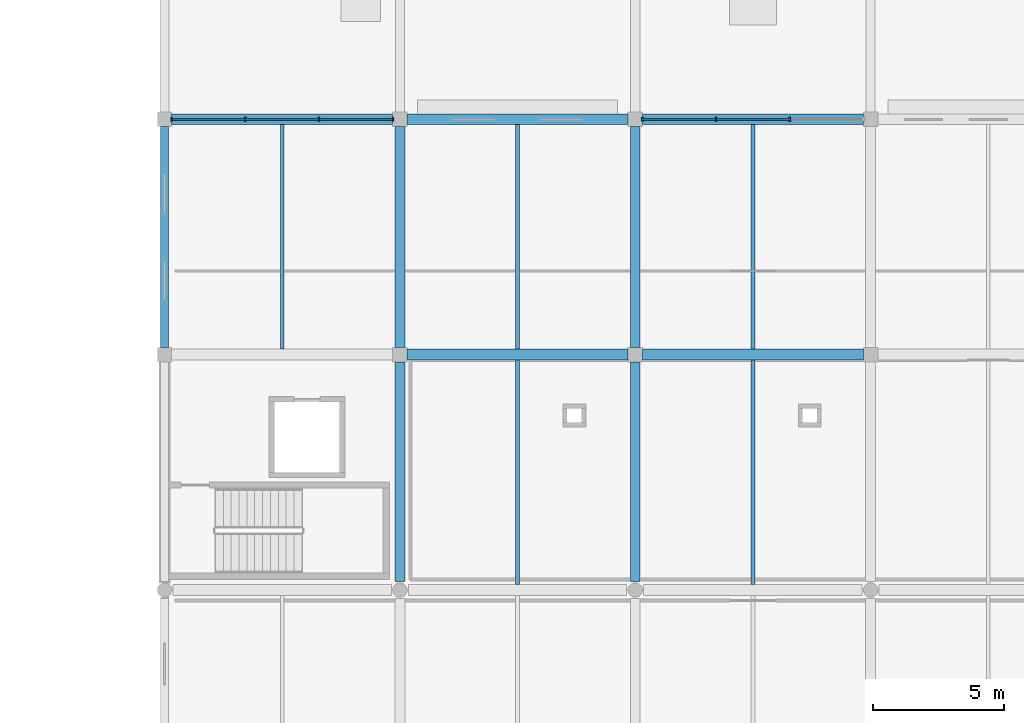
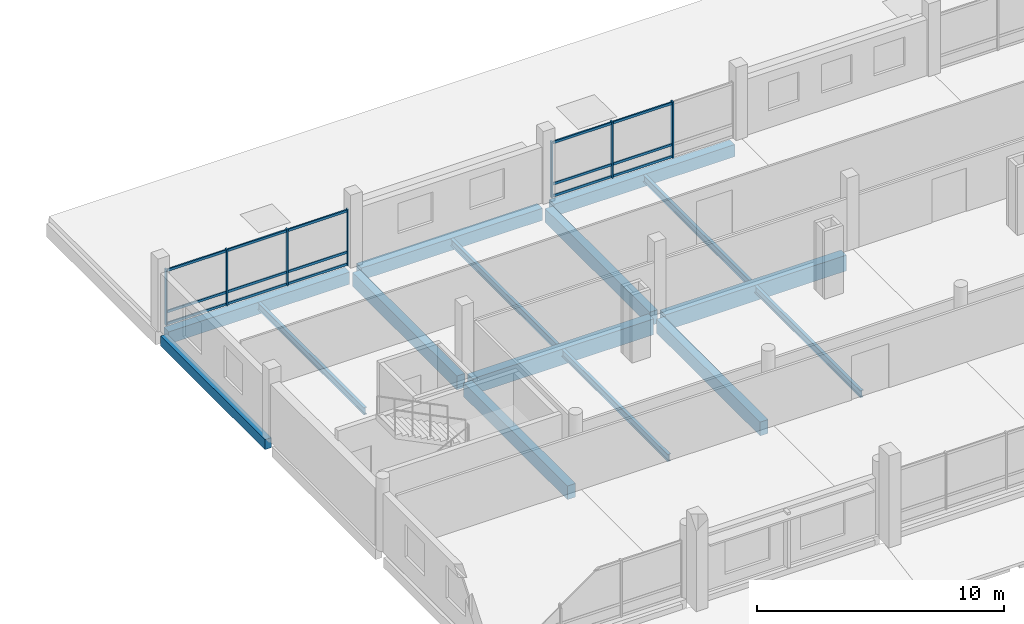
# One storey, part 56 of 132: 22 members, 15 beams, 2 elements without a shape of their own.
"""IFC4 building model written with IfcOpenShell, lengths in metres."""

from ifc_helpers import new_model, si_unit, direction, frame, origin, origin_2d, place, context, subcontext, project, spatial, rectangle, i_section, extrude, material, material_profile, profile_set, type_object, element, aggregate, save


model = new_model("IFC4")

# Units and contexts
model_context = context("Model", 3, precision=1e-05, world=origin(), true_north=direction((0.0, 1.0)))
body_context = subcontext(model_context, "Body", "Model", "MODEL_VIEW")
ifc_project = project(units=[si_unit("LENGTHUNIT", "METRE"), si_unit("AREAUNIT", "SQUARE_METRE"), si_unit("VOLUMEUNIT", "CUBIC_METRE"), si_unit("PLANEANGLEUNIT", "RADIAN"), si_unit("MASSUNIT", "GRAM", prefix="KILO")], contexts=[model_context])

# Site, building, storey
site_placement = place(None, origin())
site = spatial("IfcSite", under=ifc_project, at=site_placement, CompositionType="ELEMENT")
building_placement = place(site_placement, origin())
building = spatial("IfcBuilding", under=site, at=building_placement, Name="Tharagai Park Tramway Depot", CompositionType="ELEMENT")
storey_placement = place(building_placement, frame((0.0, 0.0, 4.800048828125)))
storey = spatial("IfcBuildingStorey", under=building, at=storey_placement, Name="L01", CompositionType="ELEMENT", Elevation=4.800048828125)

# Beams
ifc_material_1 = material(Name="Concrete M35", Category="concrete")
ifc_material_profile_1 = material_profile(ifc_material_1, rectangle(XDim=0.3798828125, YDim=0.679931640625, at=origin_2d()), Name="RC 380x680")
ifc_profile_set_1 = profile_set([ifc_material_profile_1], Name="Concrete M35")
beam_type_1 = type_object("IfcBeamType", Name="BM-12", PredefinedType="BEAM", material=ifc_profile_set_1)
beam_1_placement = place(storey_placement, frame((144.0, 9.324951171875, -0.570068359375), z_axis=(0.0, 1.0, 0.0), x_axis=(-1.0, 0.0, 0.0)))
element("IfcBeam", 1, at=beam_1_placement, inside=storey, type_object=beam_type_1, Name="L01 Grid Beam BM-12", PredefinedType="BEAM", context=body_context, shape_type="SweptSolid", body=[
    extrude(rectangle(XDim=0.3798828125, YDim=0.679931640625, at=origin_2d()), origin(), (0.0, 0.0, 1.0), 8.400146484375),
])
beam_2_placement = place(storey_placement, frame((144.0, 18.27490234375, -0.570068359375), z_axis=(0.0, 1.0, 0.0), x_axis=(-1.0, 0.0, 0.0)))
element("IfcBeam", 2, at=beam_2_placement, inside=storey, type_object=beam_type_1, Name="L01 Grid Beam BM-12", PredefinedType="BEAM", context=body_context, shape_type="SweptSolid", body=[
    extrude(rectangle(XDim=0.3798828125, YDim=0.679931640625, at=origin_2d()), origin(), (0.0, 0.0, 1.0), 8.4501953125),
])
beam_3_placement = place(storey_placement, frame((153.0, 9.324951171875, -0.570068359375), z_axis=(0.0, 1.0, 0.0), x_axis=(-1.0, 0.0, 0.0)))
element("IfcBeam", 3, at=beam_3_placement, inside=storey, type_object=beam_type_1, Name="L01 Grid Beam BM-12", PredefinedType="BEAM", context=body_context, shape_type="SweptSolid", body=[
    extrude(rectangle(XDim=0.3798828125, YDim=0.679931640625, at=origin_2d()), origin(), (0.0, 0.0, 1.0), 8.400146484375),
])
beam_4_placement = place(storey_placement, frame((153.0, 18.27490234375, -0.570068359375), z_axis=(0.0, 1.0, 0.0), x_axis=(-1.0, 0.0, 0.0)))
element("IfcBeam", 4, at=beam_4_placement, inside=storey, type_object=beam_type_1, Name="L01 Grid Beam BM-12", PredefinedType="BEAM", context=body_context, shape_type="SweptSolid", body=[
    extrude(rectangle(XDim=0.3798828125, YDim=0.679931640625, at=origin_2d()), origin(), (0.0, 0.0, 1.0), 8.4501953125),
])
ifc_material_profile_2 = material_profile(ifc_material_1, rectangle(XDim=0.419921875, YDim=0.780029296875, at=origin_2d()), Name="RC 420x780")
ifc_profile_set_2 = profile_set([ifc_material_profile_2], Name="Concrete M35")
beam_type_2 = type_object("IfcBeamType", Name="BM-16", PredefinedType="BEAM", material=ifc_profile_set_2)
for number, where, z_axis, x_axis, name in (
    (5, (144.27490234375, 18.0, -0.6201171875), (1.0, 0.0, 0.0), (0.0, 1.0, 0.0), "L01 Grid Beam BM-16"),
    (6, (153.27490234375, 18.0, -0.6201171875), (1.0, 0.0, 0.0), (0.0, 1.0, 0.0), "L01 Grid Beam BM-16"),
):
    element("IfcBeam", number, at=place(storey_placement, frame(where, z_axis=z_axis, x_axis=x_axis)), inside=storey, type_object=beam_type_2, Name=name, PredefinedType="BEAM", context=body_context, shape_type="SweptSolid", body=[
        extrude(rectangle(XDim=0.419921875, YDim=0.780029296875, at=origin_2d()), origin(), (0.0, 0.0, 1.0), 8.4501953125),
    ])

# Curtain wall, members
ifc_material_2 = material(Name="Anodised aluminium", Category="aluminium")
curtain_wall_type = type_object("IfcCurtainWallType", Name="CW-06", PredefinedType="NOTDEFINED", material=ifc_material_2)
curtain_wall_1_placement = place(storey_placement, origin())
curtain_wall_1 = element("IfcCurtainWall", 7, at=curtain_wall_1_placement, inside=storey, type_object=curtain_wall_type, Name="L01 V5 Gothic Mullioned Curtain Wall CW-06", PredefinedType="NOTDEFINED")
ifc_material_profile_3 = material_profile(ifc_material_2, rectangle(XDim=0.06494140625, YDim=0.1201171875, at=origin_2d()), Name="ALU 65x120")
ifc_profile_set_3 = profile_set([ifc_material_profile_3], Name="Anodised aluminium")
member_type_1 = type_object("IfcMemberType", Name="CM-01", PredefinedType="USERDEFINED", material=ifc_profile_set_3)
member_1_placement = place(storey_placement, frame((135.280029296875, 27.0, 0.06005859375), z_axis=(1.0, 0.0, 0.0), x_axis=(0.0, 1.0, 0.0)))
member_1 = element("IfcMember", 8, at=member_1_placement, type_object=member_type_1, Name="L01 V5 Gothic Mullioned Curtain Wall Transom 1.1", ObjectType="TRANSOM", PredefinedType="USERDEFINED", context=body_context, shape_type="SweptSolid", body=[
    extrude(rectangle(XDim=0.06494140625, YDim=0.1201171875, at=origin_2d()), origin(), (0.0, 0.0, 1.0), 2.793212890625),
])
member_2_placement = place(storey_placement, frame((135.280029296875, 27.0, 0.64990234375), z_axis=(1.0, 0.0, 0.0), x_axis=(0.0, 1.0, 0.0)))
member_2 = element("IfcMember", 9, at=member_2_placement, type_object=member_type_1, Name="L01 V5 Gothic Mullioned Curtain Wall Transom 1.2", ObjectType="TRANSOM", PredefinedType="USERDEFINED", context=body_context, shape_type="SweptSolid", body=[
    extrude(rectangle(XDim=0.06494140625, YDim=0.1201171875, at=origin_2d()), origin(), (0.0, 0.0, 1.0), 2.793212890625),
])
member_3_placement = place(storey_placement, frame((135.280029296875, 27.0, 2.68994140625), z_axis=(1.0, 0.0, 0.0), x_axis=(0.0, 1.0, 0.0)))
member_3 = element("IfcMember", 10, at=member_3_placement, type_object=member_type_1, Name="L01 V5 Gothic Mullioned Curtain Wall Transom 1.3", ObjectType="TRANSOM", PredefinedType="USERDEFINED", context=body_context, shape_type="SweptSolid", body=[
    extrude(rectangle(XDim=0.06494140625, YDim=0.1201171875, at=origin_2d()), origin(), (0.0, 0.0, 1.0), 2.793212890625),
])
member_4_placement = place(storey_placement, frame((138.103271484375, 27.0, 0.06005859375), z_axis=(1.0, 0.0, 0.0), x_axis=(0.0, 1.0, 0.0)))
member_4 = element("IfcMember", 11, at=member_4_placement, type_object=member_type_1, Name="L01 V5 Gothic Mullioned Curtain Wall Transom 2.1", ObjectType="TRANSOM", PredefinedType="USERDEFINED", context=body_context, shape_type="SweptSolid", body=[
    extrude(rectangle(XDim=0.06494140625, YDim=0.1201171875, at=origin_2d()), origin(), (0.0, 0.0, 1.0), 2.79345703125),
])
member_5_placement = place(storey_placement, frame((138.103271484375, 27.0, 0.64990234375), z_axis=(1.0, 0.0, 0.0), x_axis=(0.0, 1.0, 0.0)))
member_5 = element("IfcMember", 12, at=member_5_placement, type_object=member_type_1, Name="L01 V5 Gothic Mullioned Curtain Wall Transom 2.2", ObjectType="TRANSOM", PredefinedType="USERDEFINED", context=body_context, shape_type="SweptSolid", body=[
    extrude(rectangle(XDim=0.06494140625, YDim=0.1201171875, at=origin_2d()), origin(), (0.0, 0.0, 1.0), 2.79345703125),
])
member_6_placement = place(storey_placement, frame((138.103271484375, 27.0, 2.68994140625), z_axis=(1.0, 0.0, 0.0), x_axis=(0.0, 1.0, 0.0)))
member_6 = element("IfcMember", 13, at=member_6_placement, type_object=member_type_1, Name="L01 V5 Gothic Mullioned Curtain Wall Transom 2.3", ObjectType="TRANSOM", PredefinedType="USERDEFINED", context=body_context, shape_type="SweptSolid", body=[
    extrude(rectangle(XDim=0.06494140625, YDim=0.1201171875, at=origin_2d()), origin(), (0.0, 0.0, 1.0), 2.79345703125),
])
member_7_placement = place(storey_placement, frame((140.9267578125, 27.0, 0.06005859375), z_axis=(1.0, 0.0, 0.0), x_axis=(0.0, 1.0, 0.0)))
member_7 = element("IfcMember", 14, at=member_7_placement, type_object=member_type_1, Name="L01 V5 Gothic Mullioned Curtain Wall Transom 3.1", ObjectType="TRANSOM", PredefinedType="USERDEFINED", context=body_context, shape_type="SweptSolid", body=[
    extrude(rectangle(XDim=0.06494140625, YDim=0.1201171875, at=origin_2d()), origin(), (0.0, 0.0, 1.0), 2.793212890625),
])
member_8_placement = place(storey_placement, frame((140.9267578125, 27.0, 0.64990234375), z_axis=(1.0, 0.0, 0.0), x_axis=(0.0, 1.0, 0.0)))
member_8 = element("IfcMember", 15, at=member_8_placement, type_object=member_type_1, Name="L01 V5 Gothic Mullioned Curtain Wall Transom 3.2", ObjectType="TRANSOM", PredefinedType="USERDEFINED", context=body_context, shape_type="SweptSolid", body=[
    extrude(rectangle(XDim=0.06494140625, YDim=0.1201171875, at=origin_2d()), origin(), (0.0, 0.0, 1.0), 2.793212890625),
])
member_9_placement = place(storey_placement, frame((140.9267578125, 27.0, 2.68994140625), z_axis=(1.0, 0.0, 0.0), x_axis=(0.0, 1.0, 0.0)))
member_9 = element("IfcMember", 16, at=member_9_placement, type_object=member_type_1, Name="L01 V5 Gothic Mullioned Curtain Wall Transom 3.3", ObjectType="TRANSOM", PredefinedType="USERDEFINED", context=body_context, shape_type="SweptSolid", body=[
    extrude(rectangle(XDim=0.06494140625, YDim=0.1201171875, at=origin_2d()), origin(), (0.0, 0.0, 1.0), 2.793212890625),
])

curtain_wall_2_placement = place(storey_placement, origin())
curtain_wall_2 = element("IfcCurtainWall", 17, at=curtain_wall_2_placement, inside=storey, type_object=curtain_wall_type, Name="L01 V5 Gothic Mullioned Curtain Wall CW-06", PredefinedType="NOTDEFINED")
member_10_placement = place(storey_placement, frame((153.280029296875, 27.0, 0.06005859375), z_axis=(1.0, 0.0, 0.0), x_axis=(0.0, 1.0, 0.0)))
member_10 = element("IfcMember", 18, at=member_10_placement, type_object=member_type_1, Name="L01 V5 Gothic Mullioned Curtain Wall Transom 1.1", ObjectType="TRANSOM", PredefinedType="USERDEFINED", context=body_context, shape_type="SweptSolid", body=[
    extrude(rectangle(XDim=0.06494140625, YDim=0.1201171875, at=origin_2d()), origin(), (0.0, 0.0, 1.0), 2.793212890625),
])
member_11_placement = place(storey_placement, frame((153.280029296875, 27.0, 0.64990234375), z_axis=(1.0, 0.0, 0.0), x_axis=(0.0, 1.0, 0.0)))
member_11 = element("IfcMember", 19, at=member_11_placement, type_object=member_type_1, Name="L01 V5 Gothic Mullioned Curtain Wall Transom 1.2", ObjectType="TRANSOM", PredefinedType="USERDEFINED", context=body_context, shape_type="SweptSolid", body=[
    extrude(rectangle(XDim=0.06494140625, YDim=0.1201171875, at=origin_2d()), origin(), (0.0, 0.0, 1.0), 2.793212890625),
])
member_12_placement = place(storey_placement, frame((153.280029296875, 27.0, 2.68994140625), z_axis=(1.0, 0.0, 0.0), x_axis=(0.0, 1.0, 0.0)))
member_12 = element("IfcMember", 20, at=member_12_placement, type_object=member_type_1, Name="L01 V5 Gothic Mullioned Curtain Wall Transom 1.3", ObjectType="TRANSOM", PredefinedType="USERDEFINED", context=body_context, shape_type="SweptSolid", body=[
    extrude(rectangle(XDim=0.06494140625, YDim=0.1201171875, at=origin_2d()), origin(), (0.0, 0.0, 1.0), 2.793212890625),
])
member_13_placement = place(storey_placement, frame((156.103271484375, 27.0, 0.06005859375), z_axis=(1.0, 0.0, 0.0), x_axis=(0.0, 1.0, 0.0)))
member_13 = element("IfcMember", 21, at=member_13_placement, type_object=member_type_1, Name="L01 V5 Gothic Mullioned Curtain Wall Transom 2.1", ObjectType="TRANSOM", PredefinedType="USERDEFINED", context=body_context, shape_type="SweptSolid", body=[
    extrude(rectangle(XDim=0.06494140625, YDim=0.1201171875, at=origin_2d()), origin(), (0.0, 0.0, 1.0), 2.79345703125),
])
member_14_placement = place(storey_placement, frame((156.103271484375, 27.0, 0.64990234375), z_axis=(1.0, 0.0, 0.0), x_axis=(0.0, 1.0, 0.0)))
member_14 = element("IfcMember", 22, at=member_14_placement, type_object=member_type_1, Name="L01 V5 Gothic Mullioned Curtain Wall Transom 2.2", ObjectType="TRANSOM", PredefinedType="USERDEFINED", context=body_context, shape_type="SweptSolid", body=[
    extrude(rectangle(XDim=0.06494140625, YDim=0.1201171875, at=origin_2d()), origin(), (0.0, 0.0, 1.0), 2.79345703125),
])
member_15_placement = place(storey_placement, frame((156.103271484375, 27.0, 2.68994140625), z_axis=(1.0, 0.0, 0.0), x_axis=(0.0, 1.0, 0.0)))
member_15 = element("IfcMember", 23, at=member_15_placement, type_object=member_type_1, Name="L01 V5 Gothic Mullioned Curtain Wall Transom 2.3", ObjectType="TRANSOM", PredefinedType="USERDEFINED", context=body_context, shape_type="SweptSolid", body=[
    extrude(rectangle(XDim=0.06494140625, YDim=0.1201171875, at=origin_2d()), origin(), (0.0, 0.0, 1.0), 2.79345703125),
])

# Member
ifc_material_profile_4 = material_profile(ifc_material_2, rectangle(XDim=0.06494140625, YDim=0.14990234375, at=origin_2d()), Name="ALU 65x150")
ifc_profile_set_4 = profile_set([ifc_material_profile_4], Name="Anodised aluminium")
member_type_2 = type_object("IfcMemberType", Name="CM-03", PredefinedType="MULLION", material=ifc_profile_set_4)
member_16_placement = place(storey_placement, frame((135.264892578125, 27.0, -0.005126953125), z_axis=(0.0, 0.0, 1.0), x_axis=(1.0, 0.0, 0.0)))
member_16 = element("IfcMember", 24, at=member_16_placement, type_object=member_type_2, Name="L01 V5 Gothic Mullioned Curtain Wall Mullion 1", PredefinedType="MULLION", context=body_context, shape_type="SweptSolid", body=[
    extrude(rectangle(XDim=0.06494140625, YDim=0.14990234375, at=origin_2d()), origin(), (0.0, 0.0, 1.0), 2.780029296875),
])

member_17_placement = place(storey_placement, frame((138.08837890625, 27.0, -0.005126953125), z_axis=(0.0, 0.0, 1.0), x_axis=(1.0, 0.0, 0.0)))
member_17 = element("IfcMember", 25, at=member_17_placement, type_object=member_type_2, Name="L01 V5 Gothic Mullioned Curtain Wall Mullion 2", PredefinedType="MULLION", context=body_context, shape_type="SweptSolid", body=[
    extrude(rectangle(XDim=0.06494140625, YDim=0.14990234375, at=origin_2d()), origin(), (0.0, 0.0, 1.0), 2.780029296875),
])

member_18_placement = place(storey_placement, frame((140.91162109375, 27.0, -0.005126953125), z_axis=(0.0, 0.0, 1.0), x_axis=(1.0, 0.0, 0.0)))
member_18 = element("IfcMember", 26, at=member_18_placement, type_object=member_type_2, Name="L01 V5 Gothic Mullioned Curtain Wall Mullion 3", PredefinedType="MULLION", context=body_context, shape_type="SweptSolid", body=[
    extrude(rectangle(XDim=0.06494140625, YDim=0.14990234375, at=origin_2d()), origin(), (0.0, 0.0, 1.0), 2.780029296875),
])

member_19_placement = place(storey_placement, frame((143.735107421875, 27.0, -0.005126953125), z_axis=(0.0, 0.0, 1.0), x_axis=(1.0, 0.0, 0.0)))
member_19 = element("IfcMember", 27, at=member_19_placement, type_object=member_type_2, Name="L01 V5 Gothic Mullioned Curtain Wall Mullion 4", PredefinedType="MULLION", context=body_context, shape_type="SweptSolid", body=[
    extrude(rectangle(XDim=0.06494140625, YDim=0.14990234375, at=origin_2d()), origin(), (0.0, 0.0, 1.0), 2.780029296875),
])

aggregate(curtain_wall_1, [member_16, member_17, member_18, member_19, member_1, member_2, member_3, member_4, member_5, member_6, member_7, member_8, member_9])

member_20_placement = place(storey_placement, frame((153.264892578125, 27.0, -0.005126953125), z_axis=(0.0, 0.0, 1.0), x_axis=(1.0, 0.0, 0.0)))
member_20 = element("IfcMember", 28, at=member_20_placement, type_object=member_type_2, Name="L01 V5 Gothic Mullioned Curtain Wall Mullion 1", PredefinedType="MULLION", context=body_context, shape_type="SweptSolid", body=[
    extrude(rectangle(XDim=0.06494140625, YDim=0.14990234375, at=origin_2d()), origin(), (0.0, 0.0, 1.0), 2.780029296875),
])

member_21_placement = place(storey_placement, frame((156.08837890625, 27.0, -0.005126953125), z_axis=(0.0, 0.0, 1.0), x_axis=(1.0, 0.0, 0.0)))
member_21 = element("IfcMember", 29, at=member_21_placement, type_object=member_type_2, Name="L01 V5 Gothic Mullioned Curtain Wall Mullion 2", PredefinedType="MULLION", context=body_context, shape_type="SweptSolid", body=[
    extrude(rectangle(XDim=0.06494140625, YDim=0.14990234375, at=origin_2d()), origin(), (0.0, 0.0, 1.0), 2.780029296875),
])

member_22_placement = place(storey_placement, frame((158.91162109375, 27.0, -0.005126953125), z_axis=(0.0, 0.0, 1.0), x_axis=(1.0, 0.0, 0.0)))
member_22 = element("IfcMember", 30, at=member_22_placement, type_object=member_type_2, Name="L01 V5 Gothic Mullioned Curtain Wall Mullion 3", PredefinedType="MULLION", context=body_context, shape_type="SweptSolid", body=[
    extrude(rectangle(XDim=0.06494140625, YDim=0.14990234375, at=origin_2d()), origin(), (0.0, 0.0, 1.0), 2.780029296875),
])

aggregate(curtain_wall_2, [member_20, member_21, member_22, member_10, member_11, member_12, member_13, member_14, member_15])

# Beams
ifc_material_3 = material(Name="Steel E350", Category="steel")
ifc_material_profile_5 = material_profile(ifc_material_3, i_section(OverallWidth=0.139892578125, OverallDepth=0.35009765625, WebThickness=0.008056640625, FlangeThickness=0.01416015625, FilletRadius=0.013916015625, at=origin_2d()), Name="ISMB 350")
ifc_profile_set_5 = profile_set([ifc_material_profile_5], Name="Steel E350")
beam_type_3 = type_object("IfcBeamType", Name="JT-01", PredefinedType="JOIST", material=ifc_profile_set_5)
beam_5_placement = place(storey_placement, frame((139.5, 18.2099609375, -0.405029296875), z_axis=(0.0, 1.0, 0.0), x_axis=(-1.0, 0.0, 0.0)))
element("IfcBeam", 31, at=beam_5_placement, inside=storey, type_object=beam_type_3, Name="L01 Secondary Joist JT-01", PredefinedType="JOIST", context=body_context, shape_type="SweptSolid", body=[
    extrude(i_section(OverallWidth=0.139892578125, OverallDepth=0.35009765625, WebThickness=0.008056640625, FlangeThickness=0.01416015625, FilletRadius=0.013916015625, at=origin_2d()), origin(), (0.0, 0.0, 1.0), 8.590087890625),
])
beam_6_placement = place(storey_placement, frame((148.5, 9.2099609375, -0.405029296875), z_axis=(0.0, 1.0, 0.0), x_axis=(-1.0, 0.0, 0.0)))
element("IfcBeam", 32, at=beam_6_placement, inside=storey, type_object=beam_type_3, Name="L01 Secondary Joist JT-01", PredefinedType="JOIST", context=body_context, shape_type="SweptSolid", body=[
    extrude(i_section(OverallWidth=0.139892578125, OverallDepth=0.35009765625, WebThickness=0.008056640625, FlangeThickness=0.01416015625, FilletRadius=0.013916015625, at=origin_2d()), origin(), (0.0, 0.0, 1.0), 8.580078125),
])
beam_7_placement = place(storey_placement, frame((148.5, 18.2099609375, -0.405029296875), z_axis=(0.0, 1.0, 0.0), x_axis=(-1.0, 0.0, 0.0)))
element("IfcBeam", 33, at=beam_7_placement, inside=storey, type_object=beam_type_3, Name="L01 Secondary Joist JT-01", PredefinedType="JOIST", context=body_context, shape_type="SweptSolid", body=[
    extrude(i_section(OverallWidth=0.139892578125, OverallDepth=0.35009765625, WebThickness=0.008056640625, FlangeThickness=0.01416015625, FilletRadius=0.013916015625, at=origin_2d()), origin(), (0.0, 0.0, 1.0), 8.590087890625),
])
beam_8_placement = place(storey_placement, frame((157.5, 9.2099609375, -0.405029296875), z_axis=(0.0, 1.0, 0.0), x_axis=(-1.0, 0.0, 0.0)))
element("IfcBeam", 34, at=beam_8_placement, inside=storey, type_object=beam_type_3, Name="L01 Secondary Joist JT-01", PredefinedType="JOIST", context=body_context, shape_type="SweptSolid", body=[
    extrude(i_section(OverallWidth=0.139892578125, OverallDepth=0.35009765625, WebThickness=0.008056640625, FlangeThickness=0.01416015625, FilletRadius=0.013916015625, at=origin_2d()), origin(), (0.0, 0.0, 1.0), 8.580078125),
])
beam_9_placement = place(storey_placement, frame((157.5, 18.2099609375, -0.405029296875), z_axis=(0.0, 1.0, 0.0), x_axis=(-1.0, 0.0, 0.0)))
element("IfcBeam", 35, at=beam_9_placement, inside=storey, type_object=beam_type_3, Name="L01 Secondary Joist JT-01", PredefinedType="JOIST", context=body_context, shape_type="SweptSolid", body=[
    extrude(i_section(OverallWidth=0.139892578125, OverallDepth=0.35009765625, WebThickness=0.008056640625, FlangeThickness=0.01416015625, FilletRadius=0.013916015625, at=origin_2d()), origin(), (0.0, 0.0, 1.0), 8.590087890625),
])
ifc_material_profile_6 = material_profile(ifc_material_1, rectangle(XDim=0.39990234375, YDim=0.60009765625, at=origin_2d()), Name="RC 400x600")
ifc_profile_set_6 = profile_set([ifc_material_profile_6], Name="Concrete M35")
beam_type_4 = type_object("IfcBeamType", Name="SP-02", PredefinedType="SPANDREL", material=ifc_profile_set_6)
for number, where, z_axis, x_axis, name in (
    (36, (135.27490234375, 27.0, -0.530029296875), (1.0, 0.0, 0.0), (0.0, 1.0, 0.0), "L01 Grid Beam SP-02"),
    (37, (144.27490234375, 27.0, -0.530029296875), (1.0, 0.0, 0.0), (0.0, 1.0, 0.0), "L01 Grid Beam SP-02"),
    (38, (153.27490234375, 27.0, -0.530029296875), (1.0, 0.0, 0.0), (0.0, 1.0, 0.0), "L01 Grid Beam SP-02"),
):
    element("IfcBeam", number, at=place(storey_placement, frame(where, z_axis=z_axis, x_axis=x_axis)), inside=storey, type_object=beam_type_4, Name=name, PredefinedType="SPANDREL", context=body_context, shape_type="SweptSolid", body=[
        extrude(rectangle(XDim=0.39990234375, YDim=0.60009765625, at=origin_2d()), origin(), (0.0, 0.0, 1.0), 8.4501953125),
    ])
ifc_material_profile_7 = material_profile(ifc_material_1, rectangle(XDim=0.300048828125, YDim=0.5, at=origin_2d()), Name="RC 300x500")
ifc_profile_set_7 = profile_set([ifc_material_profile_7], Name="Concrete M35")
beam_type_5 = type_object("IfcBeamType", Name="SP-03", PredefinedType="SPANDREL", material=ifc_profile_set_7)
beam_10_placement = place(storey_placement, frame((135.0, 18.27490234375, -0.47998046875), z_axis=(0.0, 1.0, 0.0), x_axis=(-1.0, 0.0, 0.0)))
element("IfcBeam", 39, at=beam_10_placement, inside=storey, type_object=beam_type_5, Name="L01 Grid Beam SP-03", PredefinedType="SPANDREL", context=body_context, shape_type="SweptSolid", body=[
    extrude(rectangle(XDim=0.300048828125, YDim=0.5, at=origin_2d()), origin(), (0.0, 0.0, 1.0), 8.4501953125),
])

save(model, "model.ifc")
